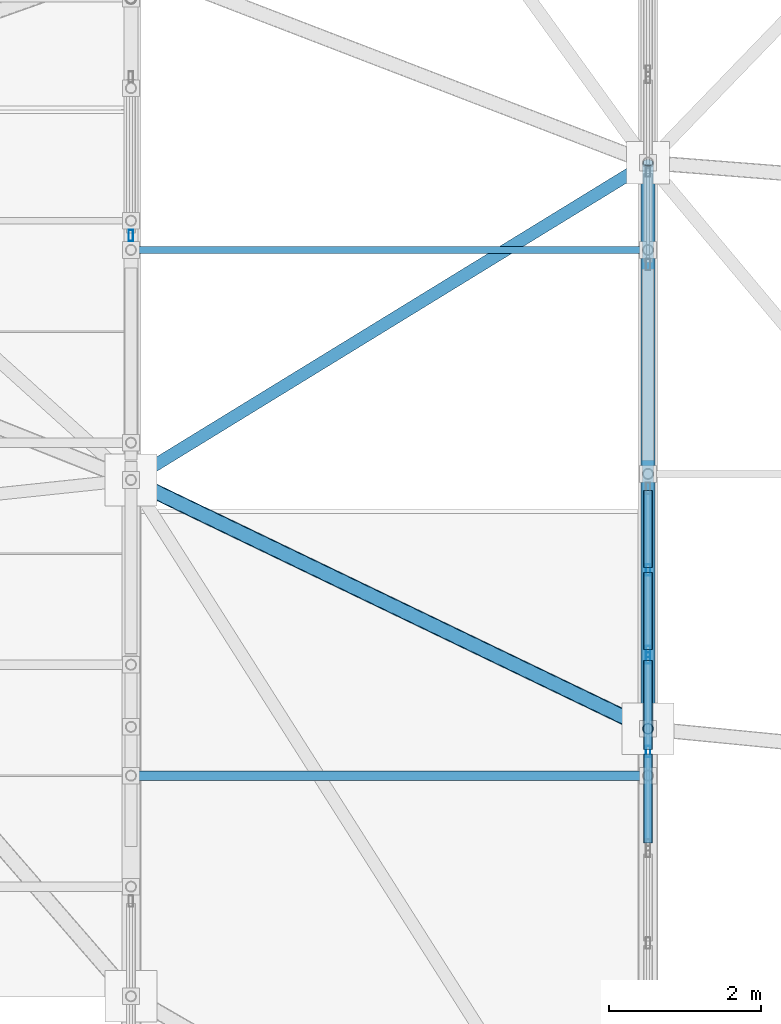
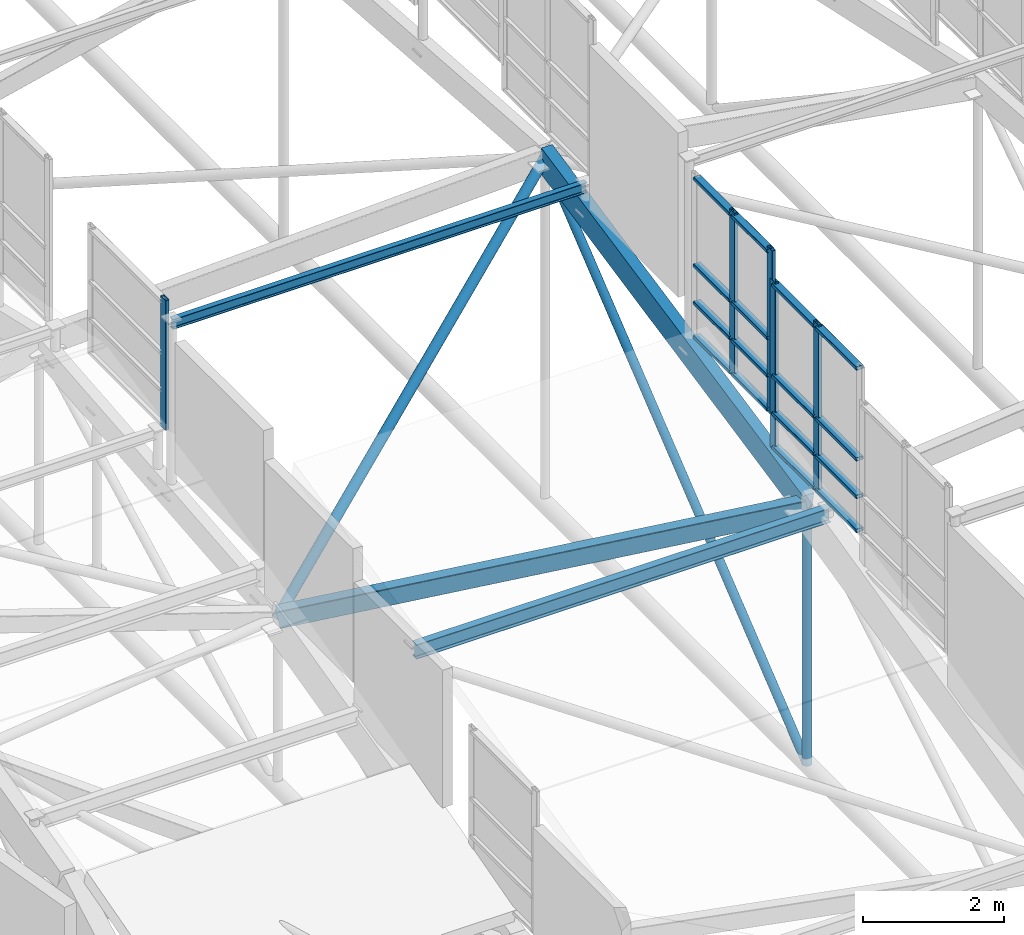
# One storey, part 15 of 188: 28 members, 3 elements without a shape of their own.
"""IFC4 building model written with IfcOpenShell, lengths in metres."""

from ifc_helpers import new_model, si_unit, direction, frame, origin, origin_2d, place, context, subcontext, project, spatial, rectangle, hollow_rectangle, hollow_circle, i_section, extrude, material, layer, layer_set, material_profile, profile_set, type_object, element, aggregate, save


model = new_model("IFC4")

# Units and contexts
model_context = context("Model", 3, precision=1e-05, world=origin(), true_north=direction((0.0, 1.0)))
body_context = subcontext(model_context, "Body", "Model", "MODEL_VIEW")
ifc_project = project(units=[si_unit("LENGTHUNIT", "METRE"), si_unit("AREAUNIT", "SQUARE_METRE"), si_unit("VOLUMEUNIT", "CUBIC_METRE"), si_unit("PLANEANGLEUNIT", "RADIAN"), si_unit("MASSUNIT", "GRAM", prefix="KILO")], contexts=[model_context])

# Site, building, storey
site_placement = place(None, origin())
site = spatial("IfcSite", under=ifc_project, at=site_placement, CompositionType="ELEMENT")
building_placement = place(site_placement, origin())
building = spatial("IfcBuilding", under=site, at=building_placement, Name="Kisaragi Civic Commons", CompositionType="ELEMENT")
storey_placement = place(building_placement, frame((0.0, 0.0, 9.60009765625)))
storey = spatial("IfcBuildingStorey", under=building, at=storey_placement, Name="L02", CompositionType="ELEMENT", Elevation=9.60009765625)

# Member
ifc_material_1 = material(Name="Steel SN400 (SN400B)", Category="steel")
ifc_material_profile_1 = material_profile(ifc_material_1, hollow_circle(Radius=0.08251953125, WallThickness=0.006103515625, at=origin_2d()), Name="CHS-165.2x6.0", Category="steel")
ifc_profile_set_1 = profile_set([ifc_material_profile_1], Name="Steel SN400 (SN400B)")
member_type_1 = type_object("IfcMemberType", Name="BR-02", PredefinedType="BRACE", material=ifc_profile_set_1)
member_1_placement = place(storey_placement, frame((6.800048828125, 28.447509765625, 2.25341796875), z_axis=(0.795603778945, 0.488222446047, 0.358682966008), x_axis=(-0.523024808652, 0.85231745819, 0.0)))
element("IfcMember", 1, at=member_1_placement, inside=storey, type_object=member_type_1, Name="V1 diagonal gridshell steel brace 9", PredefinedType="BRACE", context=body_context, shape_type="SweptSolid", body=[
    extrude(hollow_circle(Radius=0.08251953125, WallThickness=0.006103515625, at=origin_2d()), origin(), (0.0, 0.0, 1.0), 8.547119140625),
])

# Curtain wall, member
ifc_material_2 = material(Name="Thermally broken anodized aluminium and low-E double glazing", Category="aluminium")
ifc_layer = layer(ifc_material_2, 0.14990234375, Name="Thermally broken anodized aluminium and low-E double glazing", Category="aluminium")
ifc_layer_set = layer_set([ifc_layer], Name="Thermally broken anodized aluminium and low-E double glazing")
curtain_wall_type = type_object("IfcCurtainWallType", Name="CW-03", PredefinedType="NOTDEFINED", material=ifc_layer_set)
curtain_wall_1_placement = place(storey_placement, origin())
curtain_wall_1 = element("IfcCurtainWall", 2, at=curtain_wall_1_placement, inside=storey, type_object=curtain_wall_type, Name="L02 curtain wall CW-03 CW-CL-V1-134", PredefinedType="NOTDEFINED")
ifc_material_profile_2 = material_profile(ifc_material_2, hollow_rectangle(XDim=0.06005859375, YDim=0.14990234375, WallThickness=0.00390625, InnerFilletRadius=0.00390625, OuterFilletRadius=0.008056640625, at=origin_2d()), Name="CWM-60x150x4", Category="aluminium")
ifc_profile_set_2 = profile_set([ifc_material_profile_2], Name="Thermally broken anodized aluminium and low-E double glazing")
member_type_2 = type_object("IfcMemberType", Name="CWM-01", PredefinedType="MULLION", material=ifc_profile_set_2)
member_2_placement = place(storey_placement, frame((6.800048828125, 31.66162109375, 3.591552734375), z_axis=(0.0, 0.0, 1.0), x_axis=(-1.0, 0.0, 0.0)))
member_2 = element("IfcMember", 3, at=member_2_placement, type_object=member_type_2, Name="CW-03 mullion 1", PredefinedType="MULLION", context=body_context, shape_type="SweptSolid", body=[
    extrude(hollow_rectangle(XDim=0.06005859375, YDim=0.14990234375, WallThickness=0.00390625, InnerFilletRadius=0.00390625, OuterFilletRadius=0.008056640625, at=origin_2d()), origin(), (0.0, 0.0, 1.0), 2.2529296875),
])
aggregate(curtain_wall_1, [member_2])

# Curtain wall, members
curtain_wall_2_placement = place(storey_placement, origin())
curtain_wall_2 = element("IfcCurtainWall", 4, at=curtain_wall_2_placement, inside=storey, type_object=curtain_wall_type, Name="L02 curtain wall CW-03 CW-CL-V1-140", PredefinedType="NOTDEFINED")
member_3_placement = place(storey_placement, frame((13.60009765625, 24.874755859375, 4.213623046875), z_axis=(0.0, 0.0, 1.0), x_axis=(-1.0, 0.0, 0.0)))
member_3 = element("IfcMember", 5, at=member_3_placement, type_object=member_type_2, Name="CW-03 mullion 2", PredefinedType="MULLION", context=body_context, shape_type="SweptSolid", body=[
    extrude(hollow_rectangle(XDim=0.06005859375, YDim=0.14990234375, WallThickness=0.00390625, InnerFilletRadius=0.00390625, OuterFilletRadius=0.008056640625, at=origin_2d()), origin(), (0.0, 0.0, 1.0), 2.936767578125),
])
member_4_placement = place(storey_placement, frame((13.60009765625, 26.10498046875, 4.213623046875), z_axis=(0.0, 0.0, 1.0), x_axis=(-1.0, 0.0, 0.0)))
member_4 = element("IfcMember", 6, at=member_4_placement, type_object=member_type_2, Name="CW-03 mullion 3", PredefinedType="MULLION", context=body_context, shape_type="SweptSolid", body=[
    extrude(hollow_rectangle(XDim=0.06005859375, YDim=0.14990234375, WallThickness=0.00390625, InnerFilletRadius=0.00390625, OuterFilletRadius=0.008056640625, at=origin_2d()), origin(), (0.0, 0.0, 1.0), 2.936767578125),
])

curtain_wall_3_placement = place(storey_placement, origin())
curtain_wall_3 = element("IfcCurtainWall", 7, at=curtain_wall_3_placement, inside=storey, type_object=curtain_wall_type, Name="L02 curtain wall CW-03 CW-CL-V1-141", PredefinedType="NOTDEFINED")
member_5_placement = place(storey_placement, frame((13.60009765625, 26.189208984375, 4.777587890625), z_axis=(0.0, 0.0, 1.0), x_axis=(-1.0, 0.0, 0.0)))
member_5 = element("IfcMember", 8, at=member_5_placement, type_object=member_type_2, Name="CW-03 mullion 1", PredefinedType="MULLION", context=body_context, shape_type="SweptSolid", body=[
    extrude(hollow_rectangle(XDim=0.06005859375, YDim=0.14990234375, WallThickness=0.00390625, InnerFilletRadius=0.00390625, OuterFilletRadius=0.008056640625, at=origin_2d()), origin(), (0.0, 0.0, 1.0), 2.867431640625),
])
member_6_placement = place(storey_placement, frame((13.60009765625, 27.262939453125, 4.777587890625), z_axis=(0.0, 0.0, 1.0), x_axis=(-1.0, 0.0, 0.0)))
member_6 = element("IfcMember", 9, at=member_6_placement, type_object=member_type_2, Name="CW-03 mullion 2", PredefinedType="MULLION", context=body_context, shape_type="SweptSolid", body=[
    extrude(hollow_rectangle(XDim=0.06005859375, YDim=0.14990234375, WallThickness=0.00390625, InnerFilletRadius=0.00390625, OuterFilletRadius=0.008056640625, at=origin_2d()), origin(), (0.0, 0.0, 1.0), 2.867431640625),
])

# Member
ifc_material_profile_3 = material_profile(ifc_material_2, hollow_rectangle(XDim=0.1201171875, YDim=0.06005859375, WallThickness=0.00390625, InnerFilletRadius=0.00390625, OuterFilletRadius=0.008056640625, at=origin_2d()), Name="CWT-60x120x4", Category="aluminium")
ifc_profile_set_3 = profile_set([ifc_material_profile_3], Name="Thermally broken anodized aluminium and low-E double glazing")
member_type_3 = type_object("IfcMemberType", Name="CWT-01", PredefinedType="USERDEFINED", material=ifc_profile_set_3)
member_7_placement = place(storey_placement, frame((13.60009765625, 23.674560546875, 4.2734375), z_axis=(0.0, 1.0, 0.0), x_axis=(-1.0, 0.0, 0.0)))
member_7 = element("IfcMember", 10, at=member_7_placement, type_object=member_type_3, Name="CW-03 transom 1.1", ObjectType="TRANSOM", PredefinedType="USERDEFINED", context=body_context, shape_type="SweptSolid", body=[
    extrude(hollow_rectangle(XDim=0.1201171875, YDim=0.06005859375, WallThickness=0.00390625, InnerFilletRadius=0.00390625, OuterFilletRadius=0.008056640625, at=origin_2d()), origin(), (0.0, 0.0, 1.0), 1.17041015625),
])

member_8_placement = place(storey_placement, frame((13.60009765625, 23.674560546875, 4.863525390625), z_axis=(0.0, 1.0, 0.0), x_axis=(-1.0, 0.0, 0.0)))
member_8 = element("IfcMember", 11, at=member_8_placement, type_object=member_type_3, Name="CW-03 transom 1.2", ObjectType="TRANSOM", PredefinedType="USERDEFINED", context=body_context, shape_type="SweptSolid", body=[
    extrude(hollow_rectangle(XDim=0.1201171875, YDim=0.06005859375, WallThickness=0.00390625, InnerFilletRadius=0.00390625, OuterFilletRadius=0.008056640625, at=origin_2d()), origin(), (0.0, 0.0, 1.0), 1.17041015625),
])

member_9_placement = place(storey_placement, frame((13.60009765625, 23.674560546875, 5.513427734375), z_axis=(0.0, 1.0, 0.0), x_axis=(-1.0, 0.0, 0.0)))
member_9 = element("IfcMember", 12, at=member_9_placement, type_object=member_type_3, Name="CW-03 transom 1.3", ObjectType="TRANSOM", PredefinedType="USERDEFINED", context=body_context, shape_type="SweptSolid", body=[
    extrude(hollow_rectangle(XDim=0.1201171875, YDim=0.06005859375, WallThickness=0.00390625, InnerFilletRadius=0.00390625, OuterFilletRadius=0.008056640625, at=origin_2d()), origin(), (0.0, 0.0, 1.0), 1.17041015625),
])

member_10_placement = place(storey_placement, frame((13.60009765625, 23.674560546875, 7.09033203125), z_axis=(0.0, 1.0, 0.0), x_axis=(-1.0, 0.0, 0.0)))
member_10 = element("IfcMember", 13, at=member_10_placement, type_object=member_type_3, Name="CW-03 transom 1.4", ObjectType="TRANSOM", PredefinedType="USERDEFINED", context=body_context, shape_type="SweptSolid", body=[
    extrude(hollow_rectangle(XDim=0.1201171875, YDim=0.06005859375, WallThickness=0.00390625, InnerFilletRadius=0.00390625, OuterFilletRadius=0.008056640625, at=origin_2d()), origin(), (0.0, 0.0, 1.0), 1.17041015625),
])

member_11_placement = place(storey_placement, frame((13.60009765625, 24.90478515625, 4.2734375), z_axis=(0.0, 1.0, 0.0), x_axis=(-1.0, 0.0, 0.0)))
member_11 = element("IfcMember", 14, at=member_11_placement, type_object=member_type_3, Name="CW-03 transom 2.1", ObjectType="TRANSOM", PredefinedType="USERDEFINED", context=body_context, shape_type="SweptSolid", body=[
    extrude(hollow_rectangle(XDim=0.1201171875, YDim=0.06005859375, WallThickness=0.00390625, InnerFilletRadius=0.00390625, OuterFilletRadius=0.008056640625, at=origin_2d()), origin(), (0.0, 0.0, 1.0), 1.17041015625),
])

member_12_placement = place(storey_placement, frame((13.60009765625, 24.90478515625, 4.863525390625), z_axis=(0.0, 1.0, 0.0), x_axis=(-1.0, 0.0, 0.0)))
member_12 = element("IfcMember", 15, at=member_12_placement, type_object=member_type_3, Name="CW-03 transom 2.2", ObjectType="TRANSOM", PredefinedType="USERDEFINED", context=body_context, shape_type="SweptSolid", body=[
    extrude(hollow_rectangle(XDim=0.1201171875, YDim=0.06005859375, WallThickness=0.00390625, InnerFilletRadius=0.00390625, OuterFilletRadius=0.008056640625, at=origin_2d()), origin(), (0.0, 0.0, 1.0), 1.17041015625),
])

member_13_placement = place(storey_placement, frame((13.60009765625, 24.90478515625, 5.513427734375), z_axis=(0.0, 1.0, 0.0), x_axis=(-1.0, 0.0, 0.0)))
member_13 = element("IfcMember", 16, at=member_13_placement, type_object=member_type_3, Name="CW-03 transom 2.3", ObjectType="TRANSOM", PredefinedType="USERDEFINED", context=body_context, shape_type="SweptSolid", body=[
    extrude(hollow_rectangle(XDim=0.1201171875, YDim=0.06005859375, WallThickness=0.00390625, InnerFilletRadius=0.00390625, OuterFilletRadius=0.008056640625, at=origin_2d()), origin(), (0.0, 0.0, 1.0), 1.17041015625),
])

member_14_placement = place(storey_placement, frame((13.60009765625, 24.90478515625, 7.09033203125), z_axis=(0.0, 1.0, 0.0), x_axis=(-1.0, 0.0, 0.0)))
member_14 = element("IfcMember", 17, at=member_14_placement, type_object=member_type_3, Name="CW-03 transom 2.4", ObjectType="TRANSOM", PredefinedType="USERDEFINED", context=body_context, shape_type="SweptSolid", body=[
    extrude(hollow_rectangle(XDim=0.1201171875, YDim=0.06005859375, WallThickness=0.00390625, InnerFilletRadius=0.00390625, OuterFilletRadius=0.008056640625, at=origin_2d()), origin(), (0.0, 0.0, 1.0), 1.17041015625),
])

aggregate(curtain_wall_2, [member_3, member_4, member_7, member_8, member_9, member_10, member_11, member_12, member_13, member_14])

member_15_placement = place(storey_placement, frame((13.60009765625, 26.218994140625, 4.837646484375), z_axis=(0.0, 1.0, 0.0), x_axis=(-1.0, 0.0, 0.0)))
member_15 = element("IfcMember", 18, at=member_15_placement, type_object=member_type_3, Name="CW-03 transom 1.1", ObjectType="TRANSOM", PredefinedType="USERDEFINED", context=body_context, shape_type="SweptSolid", body=[
    extrude(hollow_rectangle(XDim=0.1201171875, YDim=0.06005859375, WallThickness=0.00390625, InnerFilletRadius=0.00390625, OuterFilletRadius=0.008056640625, at=origin_2d()), origin(), (0.0, 0.0, 1.0), 1.013916015625),
])

member_16_placement = place(storey_placement, frame((13.60009765625, 26.218994140625, 5.427490234375), z_axis=(0.0, 1.0, 0.0), x_axis=(-1.0, 0.0, 0.0)))
member_16 = element("IfcMember", 19, at=member_16_placement, type_object=member_type_3, Name="CW-03 transom 1.2", ObjectType="TRANSOM", PredefinedType="USERDEFINED", context=body_context, shape_type="SweptSolid", body=[
    extrude(hollow_rectangle(XDim=0.1201171875, YDim=0.06005859375, WallThickness=0.00390625, InnerFilletRadius=0.00390625, OuterFilletRadius=0.008056640625, at=origin_2d()), origin(), (0.0, 0.0, 1.0), 1.013916015625),
])

member_17_placement = place(storey_placement, frame((13.60009765625, 26.218994140625, 6.07763671875), z_axis=(0.0, 1.0, 0.0), x_axis=(-1.0, 0.0, 0.0)))
member_17 = element("IfcMember", 20, at=member_17_placement, type_object=member_type_3, Name="CW-03 transom 1.3", ObjectType="TRANSOM", PredefinedType="USERDEFINED", context=body_context, shape_type="SweptSolid", body=[
    extrude(hollow_rectangle(XDim=0.1201171875, YDim=0.06005859375, WallThickness=0.00390625, InnerFilletRadius=0.00390625, OuterFilletRadius=0.008056640625, at=origin_2d()), origin(), (0.0, 0.0, 1.0), 1.013916015625),
])

member_18_placement = place(storey_placement, frame((13.60009765625, 26.218994140625, 7.5849609375), z_axis=(0.0, 1.0, 0.0), x_axis=(-1.0, 0.0, 0.0)))
member_18 = element("IfcMember", 21, at=member_18_placement, type_object=member_type_3, Name="CW-03 transom 1.4", ObjectType="TRANSOM", PredefinedType="USERDEFINED", context=body_context, shape_type="SweptSolid", body=[
    extrude(hollow_rectangle(XDim=0.1201171875, YDim=0.06005859375, WallThickness=0.00390625, InnerFilletRadius=0.00390625, OuterFilletRadius=0.008056640625, at=origin_2d()), origin(), (0.0, 0.0, 1.0), 1.013916015625),
])

member_19_placement = place(storey_placement, frame((13.60009765625, 27.29296875, 4.837646484375), z_axis=(0.0, 1.0, 0.0), x_axis=(-1.0, 0.0, 0.0)))
member_19 = element("IfcMember", 22, at=member_19_placement, type_object=member_type_3, Name="CW-03 transom 2.1", ObjectType="TRANSOM", PredefinedType="USERDEFINED", context=body_context, shape_type="SweptSolid", body=[
    extrude(hollow_rectangle(XDim=0.1201171875, YDim=0.06005859375, WallThickness=0.00390625, InnerFilletRadius=0.00390625, OuterFilletRadius=0.008056640625, at=origin_2d()), origin(), (0.0, 0.0, 1.0), 1.013671875),
])

member_20_placement = place(storey_placement, frame((13.60009765625, 27.29296875, 5.427490234375), z_axis=(0.0, 1.0, 0.0), x_axis=(-1.0, 0.0, 0.0)))
member_20 = element("IfcMember", 23, at=member_20_placement, type_object=member_type_3, Name="CW-03 transom 2.2", ObjectType="TRANSOM", PredefinedType="USERDEFINED", context=body_context, shape_type="SweptSolid", body=[
    extrude(hollow_rectangle(XDim=0.1201171875, YDim=0.06005859375, WallThickness=0.00390625, InnerFilletRadius=0.00390625, OuterFilletRadius=0.008056640625, at=origin_2d()), origin(), (0.0, 0.0, 1.0), 1.013671875),
])

member_21_placement = place(storey_placement, frame((13.60009765625, 27.29296875, 6.07763671875), z_axis=(0.0, 1.0, 0.0), x_axis=(-1.0, 0.0, 0.0)))
member_21 = element("IfcMember", 24, at=member_21_placement, type_object=member_type_3, Name="CW-03 transom 2.3", ObjectType="TRANSOM", PredefinedType="USERDEFINED", context=body_context, shape_type="SweptSolid", body=[
    extrude(hollow_rectangle(XDim=0.1201171875, YDim=0.06005859375, WallThickness=0.00390625, InnerFilletRadius=0.00390625, OuterFilletRadius=0.008056640625, at=origin_2d()), origin(), (0.0, 0.0, 1.0), 1.013671875),
])

member_22_placement = place(storey_placement, frame((13.60009765625, 27.29296875, 7.5849609375), z_axis=(0.0, 1.0, 0.0), x_axis=(-1.0, 0.0, 0.0)))
member_22 = element("IfcMember", 25, at=member_22_placement, type_object=member_type_3, Name="CW-03 transom 2.4", ObjectType="TRANSOM", PredefinedType="USERDEFINED", context=body_context, shape_type="SweptSolid", body=[
    extrude(hollow_rectangle(XDim=0.1201171875, YDim=0.06005859375, WallThickness=0.00390625, InnerFilletRadius=0.00390625, OuterFilletRadius=0.008056640625, at=origin_2d()), origin(), (0.0, 0.0, 1.0), 1.013671875),
])

aggregate(curtain_wall_3, [member_5, member_6, member_15, member_16, member_17, member_18, member_19, member_20, member_21, member_22])

# Members
ifc_material_3 = material(Name="Steel SN490 (SN490B)", Category="steel")
ifc_material_profile_4 = material_profile(ifc_material_3, hollow_rectangle(XDim=0.199951171875, YDim=0.300048828125, WallThickness=0.009033203125, InnerFilletRadius=0.009033203125, OuterFilletRadius=0.01806640625, at=origin_2d()), Name="STKR-300x200x9", Category="steel")
ifc_profile_set_4 = profile_set([ifc_material_profile_4], Name="Steel SN490 (SN490B)")
member_type_4 = type_object("IfcMemberType", Name="GC-02", PredefinedType="CHORD", material=ifc_profile_set_4)
member_23_placement = place(storey_placement, frame((6.800048828125, 28.447509765625, 2.25341796875), z_axis=(0.883074571874, -0.424939808524, 0.199011204813), x_axis=(0.433613282009, 0.901099063181, 0.0)))
element("IfcMember", 26, at=member_23_placement, inside=storey, type_object=member_type_4, Name="V1 wave gridshell chord GC-02 10", PredefinedType="CHORD", context=body_context, shape_type="SweptSolid", body=[
    extrude(hollow_rectangle(XDim=0.199951171875, YDim=0.300048828125, WallThickness=0.009033203125, InnerFilletRadius=0.009033203125, OuterFilletRadius=0.01806640625, at=origin_2d()), origin(), (0.0, 0.0, 1.0), 7.700439453125),
])
ifc_material_4 = material(Name="Glulam E120-F330", Category="wood")
ifc_material_profile_5 = material_profile(ifc_material_4, rectangle(XDim=0.179931640625, YDim=0.449951171875, at=origin_2d()), Name="GL-180x450", Category="wood")
ifc_profile_set_5 = profile_set([ifc_material_profile_5], Name="Glulam E120-F330")
member_type_5 = type_object("IfcMemberType", Name="GR-05", PredefinedType="RAFTER", material=ifc_profile_set_5)
member_24_placement = place(storey_placement, frame((13.60009765625, 25.17529296875, 3.785888671875), z_axis=(0.0, 0.979446780133, 0.201702763707), x_axis=(-1.0, 0.0, 0.0)))
element("IfcMember", 27, at=member_24_placement, inside=storey, type_object=member_type_5, Name="V1 glulam arch rib GR-05 20", PredefinedType="RAFTER", context=body_context, shape_type="SweptSolid", body=[
    extrude(rectangle(XDim=0.179931640625, YDim=0.449951171875, at=origin_2d()), origin(), (0.0, 0.0, 1.0), 7.601318359375),
])
ifc_material_profile_6 = material_profile(ifc_material_1, i_section(OverallWidth=0.125, OverallDepth=0.25, WebThickness=0.006103515625, FlangeThickness=0.009033203125, FilletRadius=0.008056640625, at=origin_2d()), Name="H-250x125x6x9", Category="steel")
ifc_profile_set_6 = profile_set([ifc_material_profile_6], Name="Steel SN400 (SN400B)")
member_type_6 = type_object("IfcMemberType", Name="PR-01", PredefinedType="PURLIN", material=ifc_profile_set_6)
member_25_placement = place(storey_placement, frame((6.800048828125, 24.55859375, 4.035400390625), z_axis=(1.0, 0.0, 0.0), x_axis=(0.0, 1.0, 0.0)))
element("IfcMember", 28, at=member_25_placement, inside=storey, type_object=member_type_6, Name="V1 wave vault steel purlin 11", PredefinedType="PURLIN", context=body_context, shape_type="SweptSolid", body=[
    extrude(i_section(OverallWidth=0.125, OverallDepth=0.25, WebThickness=0.006103515625, FlangeThickness=0.009033203125, FilletRadius=0.008056640625, at=origin_2d()), origin(), (0.0, 0.0, 1.0), 6.800048828125),
])
ifc_material_profile_7 = material_profile(ifc_material_1, i_section(OverallWidth=0.090087890625, OverallDepth=0.175048828125, WebThickness=0.0048828125, FlangeThickness=0.008056640625, FilletRadius=0.008056640625, at=origin_2d()), Name="H-175x90x5x8", Category="steel")
ifc_profile_set_7 = profile_set([ifc_material_profile_7], Name="Steel SN400 (SN400B)")
member_type_7 = type_object("IfcMemberType", Name="PR-03", PredefinedType="PURLIN", material=ifc_profile_set_7)
member_26_placement = place(storey_placement, frame((6.800048828125, 31.4716796875, 5.517578125), z_axis=(1.0, 0.0, 0.0), x_axis=(0.0, 1.0, 0.0)))
element("IfcMember", 29, at=member_26_placement, inside=storey, type_object=member_type_7, Name="V1 wave vault steel purlin 12", PredefinedType="PURLIN", context=body_context, shape_type="SweptSolid", body=[
    extrude(i_section(OverallWidth=0.090087890625, OverallDepth=0.175048828125, WebThickness=0.0048828125, FlangeThickness=0.008056640625, FilletRadius=0.008056640625, at=origin_2d()), origin(), (0.0, 0.0, 1.0), 6.800048828125),
])
ifc_material_profile_8 = material_profile(ifc_material_3, hollow_circle(Radius=0.06982421875, WallThickness=0.006103515625, at=origin_2d()), Name="CHS-139.8x6.0", Category="steel")
ifc_profile_set_8 = profile_set([ifc_material_profile_8], Name="Steel SN490 (SN490B)")
member_type_8 = type_object("IfcMemberType", Name="ST-H1", PredefinedType="STRUT", material=ifc_profile_set_8)
member_27_placement = place(storey_placement, frame((13.60009765625, 25.17529296875, -0.691162109375), z_axis=(0.0, 0.0, 1.0), x_axis=(1.0, 0.0, 0.0)))
element("IfcMember", 30, at=member_27_placement, inside=storey, type_object=member_type_8, Name="V1 arch tie hanger strut 32", PredefinedType="STRUT", context=body_context, shape_type="SweptSolid", body=[
    extrude(hollow_circle(Radius=0.06982421875, WallThickness=0.006103515625, at=origin_2d()), origin(), (0.0, 0.0, 1.0), 4.47705078125),
])
member_28_placement = place(storey_placement, frame((13.60009765625, 25.17529296875, -0.691162109375), z_axis=(0.0, 0.778098018611, 0.628142876608), x_axis=(-1.0, 0.0, 0.0)))
element("IfcMember", 31, at=member_28_placement, inside=storey, type_object=member_type_8, Name="V1 tied arch truss diagonal web strut 39", PredefinedType="STRUT", context=body_context, shape_type="SweptSolid", body=[
    extrude(hollow_circle(Radius=0.06982421875, WallThickness=0.006103515625, at=origin_2d()), origin(), (0.0, 0.0, 1.0), 9.568359375),
])

save(model, "model.ifc")
